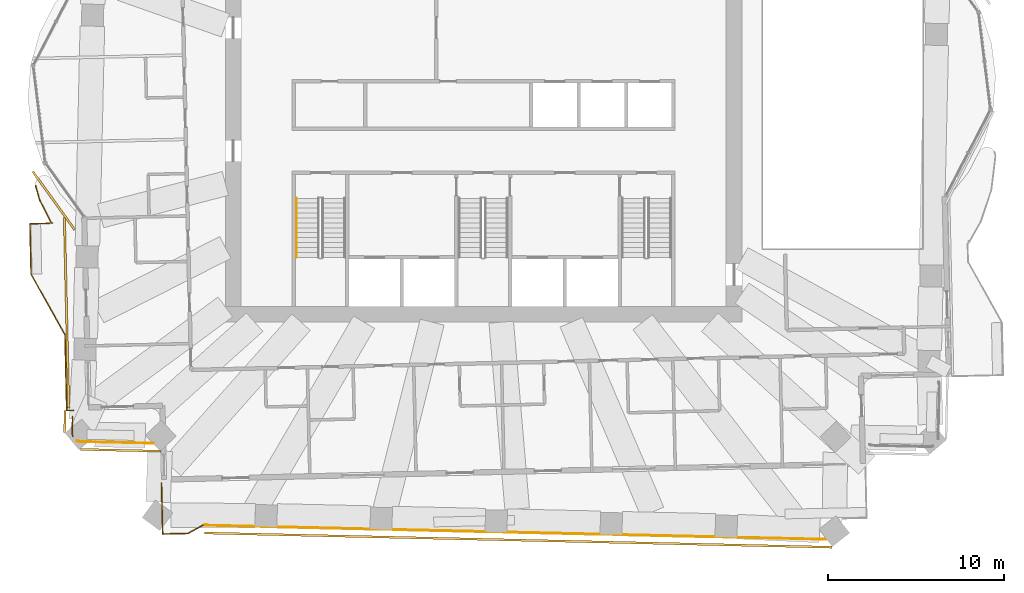
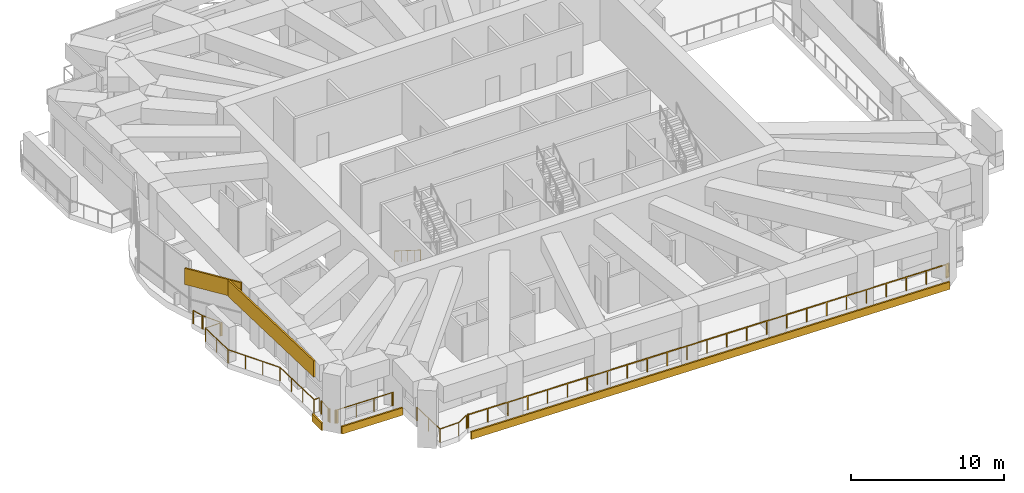
# One storey, part 14 of 17: 7 railings, 5 coverings.
"""IFC4 building model written with IfcOpenShell, lengths in metres."""

from ifc_helpers import new_model, si_unit, direction, frame, frame_2d, origin, origin_2d, place, context, subcontext, project, spatial, rectangle, circle, extrude, material, layer, layer_set, type_object, element, save


model = new_model("IFC4")

# Units and contexts
model_context = context("Model", 3, precision=1e-05, world=origin(), true_north=direction((0.0, 1.0)))
body_context = subcontext(model_context, "Body", "Model", "MODEL_VIEW")
ifc_project = project(units=[si_unit("LENGTHUNIT", "METRE"), si_unit("AREAUNIT", "SQUARE_METRE"), si_unit("VOLUMEUNIT", "CUBIC_METRE"), si_unit("PLANEANGLEUNIT", "RADIAN"), si_unit("MASSUNIT", "GRAM", prefix="KILO")], contexts=[model_context])

# Site, building, storey
site_placement = place(None, origin())
site = spatial("IfcSite", under=ifc_project, at=site_placement, CompositionType="ELEMENT")
building_placement = place(site_placement, origin())
building = spatial("IfcBuilding", under=site, at=building_placement, Name="Mangrove Gate Tower", CompositionType="ELEMENT")
storey_placement = place(building_placement, frame((0.0, 0.0, 170.699951171875)))
storey = spatial("IfcBuildingStorey", under=building, at=storey_placement, Name="L43", CompositionType="ELEMENT", Elevation=170.699951171875)

# Railings
ifc_material_1 = material(Name="Stainless steel grade 316 with laminated glass infill", Category="steel")
railing_type_1 = type_object("IfcRailingType", Name="Balcony guard 1100", PredefinedType="GUARDRAIL", material=ifc_material_1)
railing_1_placement = place(storey_placement, frame((-24.7041015625, -6.073974609375, 0.0)))
element("IfcRailing", 1, at=railing_1_placement, inside=storey, type_object=railing_type_1, Name="GUARD L43 W2", PredefinedType="GUARDRAIL", context=body_context, shape_type="SweptSolid", body=[
    extrude(rectangle(XDim=0.048095703125, YDim=0.048095703125, at=origin_2d()), frame((0.0, 0.0, 1.076171875), z_axis=(-0.999746663831, -0.022507957678, 0.0), x_axis=(0.022507957678, -0.999746663831, 0.0)), (0.0, 0.0, 1.0), 1.1171875),
    extrude(rectangle(XDim=0.048095703125, YDim=0.048095703125, at=origin_2d()), frame((-1.116943359375, -0.025146484375, 1.076171875), z_axis=(0.02259214234, -0.99974476498, 0.0), x_axis=(0.99974476498, 0.02259214234, 0.0)), (0.0, 0.0, 1.0), 2.87451171875),
    extrude(rectangle(XDim=0.048095703125, YDim=0.048095703125, at=origin_2d()), frame((-1.052001953125, -2.89892578125, 1.076171875), z_axis=(0.487307108654, -0.873230657876, 0.0), x_axis=(0.873230657876, 0.487307108654, 0.0)), (0.0, 0.0, 1.0), 3.958984375),
    extrude(rectangle(XDim=0.048095703125, YDim=0.048095703125, at=origin_2d()), frame((0.877197265625, -6.35595703125, 1.076171875), z_axis=(0.022539561751, -0.999745951808, 0.0), x_axis=(0.999745951808, 0.022539561751, 0.0)), (0.0, 0.0, 1.0), 4.300048828125),
    extrude(rectangle(XDim=0.048095703125, YDim=0.048095703125, at=origin_2d()), frame((0.97412109375, -10.655029296875, 1.076171875), z_axis=(0.999734716935, 0.023032493479, 0.0), x_axis=(-0.023032493479, 0.999734716935, 0.0)), (0.0, 0.0, 1.0), 0.39208984375),
    extrude(rectangle(XDim=0.0419921875, YDim=0.0419921875, at=origin_2d()), origin(), (0.0, 0.0, 1.0), 1.052001953125),
    extrude(rectangle(XDim=0.0419921875, YDim=0.0419921875, at=origin_2d()), frame((-1.116943359375, -0.025146484375, 0.0)), (0.0, 0.0, 1.0), 1.052001953125),
    extrude(rectangle(XDim=0.0419921875, YDim=0.0419921875, at=origin_2d()), frame((-1.08447265625, -1.4619140625, 0.0)), (0.0, 0.0, 1.0), 1.052001953125),
    extrude(rectangle(XDim=0.0419921875, YDim=0.0419921875, at=origin_2d()), frame((-1.052001953125, -2.89892578125, 0.0)), (0.0, 0.0, 1.0), 1.052001953125),
    extrude(rectangle(XDim=0.0419921875, YDim=0.0419921875, at=origin_2d()), frame((-0.408935546875, -4.05126953125, 0.0)), (0.0, 0.0, 1.0), 1.052001953125),
    extrude(rectangle(XDim=0.0419921875, YDim=0.0419921875, at=origin_2d()), frame((0.234130859375, -5.20361328125, 0.0)), (0.0, 0.0, 1.0), 1.052001953125),
    extrude(rectangle(XDim=0.0419921875, YDim=0.0419921875, at=origin_2d()), frame((0.877197265625, -6.35595703125, 0.0)), (0.0, 0.0, 1.0), 1.052001953125),
    extrude(rectangle(XDim=0.0419921875, YDim=0.0419921875, at=origin_2d()), frame((0.909423828125, -7.7890625, 0.0)), (0.0, 0.0, 1.0), 1.052001953125),
    extrude(rectangle(XDim=0.0419921875, YDim=0.0419921875, at=origin_2d()), frame((0.94189453125, -9.221923828125, 0.0)), (0.0, 0.0, 1.0), 1.052001953125),
    extrude(rectangle(XDim=0.0419921875, YDim=0.0419921875, at=origin_2d()), frame((0.97412109375, -10.655029296875, 0.0)), (0.0, 0.0, 1.0), 1.052001953125),
    extrude(rectangle(XDim=0.0419921875, YDim=0.0419921875, at=origin_2d()), frame((1.3662109375, -10.64599609375, 0.0)), (0.0, 0.0, 1.0), 1.052001953125),
])
railing_2_placement = place(storey_placement, frame((-18.3349609375, -20.847900390625, 0.0)))
element("IfcRailing", 2, at=railing_2_placement, inside=storey, type_object=railing_type_1, Name="GUARD L43 S1", PredefinedType="GUARDRAIL", context=body_context, shape_type="SweptSolid", body=[
    extrude(rectangle(XDim=0.048095703125, YDim=0.048095703125, at=origin_2d()), frame((0.0, 0.0, 1.076171875), z_axis=(0.022652795902, -0.999743392495, 0.0), x_axis=(0.999743392495, 0.022652795902, 0.0)), (0.0, 0.0, 1.0), 2.909912109375),
    extrude(rectangle(XDim=0.048095703125, YDim=0.048095703125, at=origin_2d()), frame((0.06591796875, -2.9091796875, 1.076171875), z_axis=(0.999753428766, 0.022205442382, 0.0), x_axis=(-0.022205442382, 0.999753428766, 0.0)), (0.0, 0.0, 1.0), 1.440185546875),
    extrude(rectangle(XDim=0.048095703125, YDim=0.048095703125, at=origin_2d()), frame((1.505859375, -2.877197265625, 1.076171875), z_axis=(0.87311321561, 0.487517499918, 0.0), x_axis=(-0.487517499918, 0.87311321561, 0.0)), (0.0, 0.0, 1.0), 0.972412109375),
    extrude(rectangle(XDim=0.0419921875, YDim=0.0419921875, at=origin_2d()), origin(), (0.0, 0.0, 1.0), 1.052001953125),
    extrude(rectangle(XDim=0.0419921875, YDim=0.0419921875, at=origin_2d()), frame((0.032958984375, -1.45458984375, 0.0)), (0.0, 0.0, 1.0), 1.052001953125),
    extrude(rectangle(XDim=0.0419921875, YDim=0.0419921875, at=origin_2d()), frame((0.06591796875, -2.9091796875, 0.0)), (0.0, 0.0, 1.0), 1.052001953125),
    extrude(rectangle(XDim=0.0419921875, YDim=0.0419921875, at=origin_2d()), frame((1.505859375, -2.877197265625, 0.0)), (0.0, 0.0, 1.0), 1.052001953125),
    extrude(rectangle(XDim=0.0419921875, YDim=0.0419921875, at=origin_2d()), frame((2.35498046875, -2.403076171875, 0.0)), (0.0, 0.0, 1.0), 1.052001953125),
])
railing_3_placement = place(storey_placement, frame((20.053955078125, -24.02392578125, 0.0)))
element("IfcRailing", 3, at=railing_3_placement, inside=storey, type_object=railing_type_1, Name="GUARD L43 T3.1", PredefinedType="GUARDRAIL", context=body_context, shape_type="SweptSolid", body=[
    extrude(rectangle(XDim=0.048095703125, YDim=0.048095703125, at=origin_2d()), frame((0.0, 0.0, 1.076171875), z_axis=(-0.907708589272, -0.419601140324, 0.0), x_axis=(0.419601140324, -0.907708589272, 0.0)), (0.0, 0.0, 1.0), 0.028564453125),
    extrude(rectangle(XDim=0.048095703125, YDim=0.048095703125, at=origin_2d()), frame((-0.02587890625, -0.011962890625, 1.076171875), z_axis=(-0.950180731344, -0.311699499171, 0.0), x_axis=(0.311699499171, -0.950180731344, 0.0)), (0.0, 0.0, 1.0), 0.048583984375),
    extrude(rectangle(XDim=0.048095703125, YDim=0.048095703125, at=origin_2d()), frame((-0.072021484375, -0.027099609375, 1.076171875), z_axis=(-0.974642013371, -0.223769850009, 0.0), x_axis=(0.223769850009, -0.974642013371, 0.0)), (0.0, 0.0, 1.0), 0.049072265625),
    extrude(rectangle(XDim=0.048095703125, YDim=0.048095703125, at=origin_2d()), frame((-0.119873046875, -0.0380859375, 1.076171875), z_axis=(-0.992353645783, -0.123427070371, 0.0), x_axis=(0.123427070371, -0.992353645783, 0.0)), (0.0, 0.0, 1.0), 0.049560546875),
    extrude(rectangle(XDim=0.048095703125, YDim=0.048095703125, at=origin_2d()), frame((-0.1689453125, -0.044189453125, 1.076171875), z_axis=(-0.999802043895, -0.019896558087, 0.0), x_axis=(0.019896558087, -0.999802043895, 0.0)), (0.0, 0.0, 1.0), 0.049072265625),
    extrude(rectangle(XDim=0.048095703125, YDim=0.048095703125, at=origin_2d()), frame((-0.218017578125, -0.045166015625, 1.076171875), z_axis=(-0.999742892884, 0.022674834704, 0.0), x_axis=(-0.022674834704, -0.999742892884, 0.0)), (0.0, 0.0, 1.0), 35.72509765625),
    extrude(rectangle(XDim=0.048095703125, YDim=0.048095703125, at=origin_2d()), frame((-35.933837890625, 0.764892578125, 1.076171875), z_axis=(0.872632808678, 0.488376884402, 0.0), x_axis=(-0.488376884402, 0.872632808678, 0.0)), (0.0, 0.0, 1.0), 0.098388671875),
    extrude(rectangle(XDim=0.0419921875, YDim=0.0419921875, at=origin_2d()), origin(), (0.0, 0.0, 1.0), 1.052001953125),
    extrude(rectangle(XDim=0.0419921875, YDim=0.0419921875, at=origin_2d()), frame((-0.02587890625, -0.011962890625, 0.0)), (0.0, 0.0, 1.0), 1.052001953125),
    extrude(rectangle(XDim=0.0419921875, YDim=0.0419921875, at=origin_2d()), frame((-0.072021484375, -0.027099609375, 0.0)), (0.0, 0.0, 1.0), 1.052001953125),
    extrude(rectangle(XDim=0.0419921875, YDim=0.0419921875, at=origin_2d()), frame((-0.119873046875, -0.0380859375, 0.0)), (0.0, 0.0, 1.0), 1.052001953125),
    extrude(rectangle(XDim=0.0419921875, YDim=0.0419921875, at=origin_2d()), frame((-0.1689453125, -0.044189453125, 0.0)), (0.0, 0.0, 1.0), 1.052001953125),
    extrude(rectangle(XDim=0.0419921875, YDim=0.0419921875, at=origin_2d()), frame((-0.218017578125, -0.045166015625, 0.0)), (0.0, 0.0, 1.0), 1.052001953125),
    extrude(rectangle(XDim=0.0419921875, YDim=0.0419921875, at=origin_2d()), frame((-1.7060546875, -0.011474609375, 0.0)), (0.0, 0.0, 1.0), 1.052001953125),
    extrude(rectangle(XDim=0.0419921875, YDim=0.0419921875, at=origin_2d()), frame((-3.1943359375, 0.0224609375, 0.0)), (0.0, 0.0, 1.0), 1.052001953125),
    extrude(rectangle(XDim=0.0419921875, YDim=0.0419921875, at=origin_2d()), frame((-4.6826171875, 0.05615234375, 0.0)), (0.0, 0.0, 1.0), 1.052001953125),
    extrude(rectangle(XDim=0.0419921875, YDim=0.0419921875, at=origin_2d()), frame((-6.170654296875, 0.08984375, 0.0)), (0.0, 0.0, 1.0), 1.052001953125),
    extrude(rectangle(XDim=0.0419921875, YDim=0.0419921875, at=origin_2d()), frame((-7.65869140625, 0.12353515625, 0.0)), (0.0, 0.0, 1.0), 1.052001953125),
    extrude(rectangle(XDim=0.0419921875, YDim=0.0419921875, at=origin_2d()), frame((-9.14697265625, 0.1572265625, 0.0)), (0.0, 0.0, 1.0), 1.052001953125),
    extrude(rectangle(XDim=0.0419921875, YDim=0.0419921875, at=origin_2d()), frame((-10.63525390625, 0.191162109375, 0.0)), (0.0, 0.0, 1.0), 1.052001953125),
    extrude(rectangle(XDim=0.0419921875, YDim=0.0419921875, at=origin_2d()), frame((-12.123291015625, 0.224853515625, 0.0)), (0.0, 0.0, 1.0), 1.052001953125),
    extrude(rectangle(XDim=0.0419921875, YDim=0.0419921875, at=origin_2d()), frame((-13.611328125, 0.258544921875, 0.0)), (0.0, 0.0, 1.0), 1.052001953125),
    extrude(rectangle(XDim=0.0419921875, YDim=0.0419921875, at=origin_2d()), frame((-15.099609375, 0.29248046875, 0.0)), (0.0, 0.0, 1.0), 1.052001953125),
    extrude(rectangle(XDim=0.0419921875, YDim=0.0419921875, at=origin_2d()), frame((-16.587890625, 0.326171875, 0.0)), (0.0, 0.0, 1.0), 1.052001953125),
    extrude(rectangle(XDim=0.0419921875, YDim=0.0419921875, at=origin_2d()), frame((-18.075927734375, 0.35986328125, 0.0)), (0.0, 0.0, 1.0), 1.052001953125),
    extrude(rectangle(XDim=0.0419921875, YDim=0.0419921875, at=origin_2d()), frame((-19.56396484375, 0.3935546875, 0.0)), (0.0, 0.0, 1.0), 1.052001953125),
    extrude(rectangle(XDim=0.0419921875, YDim=0.0419921875, at=origin_2d()), frame((-21.05224609375, 0.427490234375, 0.0)), (0.0, 0.0, 1.0), 1.052001953125),
    extrude(rectangle(XDim=0.0419921875, YDim=0.0419921875, at=origin_2d()), frame((-22.54052734375, 0.461181640625, 0.0)), (0.0, 0.0, 1.0), 1.052001953125),
    extrude(rectangle(XDim=0.0419921875, YDim=0.0419921875, at=origin_2d()), frame((-24.028564453125, 0.494873046875, 0.0)), (0.0, 0.0, 1.0), 1.052001953125),
    extrude(rectangle(XDim=0.0419921875, YDim=0.0419921875, at=origin_2d()), frame((-25.5166015625, 0.528564453125, 0.0)), (0.0, 0.0, 1.0), 1.052001953125),
    extrude(rectangle(XDim=0.0419921875, YDim=0.0419921875, at=origin_2d()), frame((-27.0048828125, 0.5625, 0.0)), (0.0, 0.0, 1.0), 1.052001953125),
    extrude(rectangle(XDim=0.0419921875, YDim=0.0419921875, at=origin_2d()), frame((-28.4931640625, 0.59619140625, 0.0)), (0.0, 0.0, 1.0), 1.052001953125),
    extrude(rectangle(XDim=0.0419921875, YDim=0.0419921875, at=origin_2d()), frame((-29.981201171875, 0.6298828125, 0.0)), (0.0, 0.0, 1.0), 1.052001953125),
    extrude(rectangle(XDim=0.0419921875, YDim=0.0419921875, at=origin_2d()), frame((-31.46923828125, 0.66357421875, 0.0)), (0.0, 0.0, 1.0), 1.052001953125),
    extrude(rectangle(XDim=0.0419921875, YDim=0.0419921875, at=origin_2d()), frame((-32.95751953125, 0.697265625, 0.0)), (0.0, 0.0, 1.0), 1.052001953125),
    extrude(rectangle(XDim=0.0419921875, YDim=0.0419921875, at=origin_2d()), frame((-34.44580078125, 0.731201171875, 0.0)), (0.0, 0.0, 1.0), 1.052001953125),
    extrude(rectangle(XDim=0.0419921875, YDim=0.0419921875, at=origin_2d()), frame((-35.933837890625, 0.764892578125, 0.0)), (0.0, 0.0, 1.0), 1.052001953125),
    extrude(rectangle(XDim=0.0419921875, YDim=0.0419921875, at=origin_2d()), frame((-35.847900390625, 0.81298828125, 0.0)), (0.0, 0.0, 1.0), 1.052001953125),
])
railing_4_placement = place(storey_placement, frame((-18.781982421875, -18.574951171875, 0.0)))
element("IfcRailing", 4, at=railing_4_placement, inside=storey, type_object=railing_type_1, Name="GUARD L43 T4.1", PredefinedType="GUARDRAIL", context=body_context, shape_type="SweptSolid", body=[
    extrude(rectangle(XDim=0.048095703125, YDim=0.048095703125, at=origin_2d()), frame((0.0, 0.0, 1.076171875), z_axis=(-0.973774038855, -0.227517298798, 0.0), x_axis=(0.227517298798, -0.973774038855, 0.0)), (0.0, 0.0, 1.0), 0.02685546875),
    extrude(rectangle(XDim=0.048095703125, YDim=0.048095703125, at=origin_2d()), frame((-0.026123046875, -0.006103515625, 1.076171875), z_axis=(-0.990711579604, -0.13598002073, 0.0), x_axis=(0.13598002073, -0.990711579604, 0.0)), (0.0, 0.0, 1.0), 0.05029296875),
    extrude(rectangle(XDim=0.048095703125, YDim=0.048095703125, at=origin_2d()), frame((-0.075927734375, -0.012939453125, 1.076171875), z_axis=(-0.999713957168, -0.023916601846, 0.0), x_axis=(0.023916601846, -0.999713957168, 0.0)), (0.0, 0.0, 1.0), 0.051025390625),
    extrude(rectangle(XDim=0.048095703125, YDim=0.048095703125, at=origin_2d()), frame((-0.126953125, -0.01416015625, 1.076171875), z_axis=(-0.999743525411, 0.022646929125, 0.0), x_axis=(-0.022646929125, -0.999743525411, 0.0)), (0.0, 0.0, 1.0), 4.02099609375),
    extrude(rectangle(XDim=0.048095703125, YDim=0.048095703125, at=origin_2d()), frame((-4.14697265625, 0.076904296875, 1.076171875), z_axis=(-0.996297303801, 0.085974894237, 0.0), x_axis=(-0.085974894237, -0.996297303801, 0.0)), (0.0, 0.0, 1.0), 0.04833984375),
    extrude(rectangle(XDim=0.048095703125, YDim=0.048095703125, at=origin_2d()), frame((-4.195068359375, 0.0810546875, 1.076171875), z_axis=(-0.987440631917, 0.157990501107, 0.0), x_axis=(-0.157990501107, -0.987440631917, 0.0)), (0.0, 0.0, 1.0), 0.049560546875),
    extrude(rectangle(XDim=0.048095703125, YDim=0.048095703125, at=origin_2d()), frame((-4.243896484375, 0.0888671875, 1.076171875), z_axis=(-0.963015823939, 0.269444841931, 0.0), x_axis=(-0.269444841931, -0.963015823939, 0.0)), (0.0, 0.0, 1.0), 0.048828125),
    extrude(rectangle(XDim=0.048095703125, YDim=0.048095703125, at=origin_2d()), frame((-4.291015625, 0.10205078125, 1.076171875), z_axis=(-0.932190657129, 0.361967648779, 0.0), x_axis=(-0.361967648779, -0.932190657129, 0.0)), (0.0, 0.0, 1.0), 0.04931640625),
    extrude(rectangle(XDim=0.048095703125, YDim=0.048095703125, at=origin_2d()), frame((-4.3369140625, 0.119873046875, 1.076171875), z_axis=(-0.903022510302, 0.429593233056, 0.0), x_axis=(-0.429593233056, -0.903022510302, 0.0)), (0.0, 0.0, 1.0), 0.02783203125),
    extrude(rectangle(XDim=0.0419921875, YDim=0.0419921875, at=origin_2d()), origin(), (0.0, 0.0, 1.0), 1.052001953125),
    extrude(rectangle(XDim=0.0419921875, YDim=0.0419921875, at=origin_2d()), frame((-0.026123046875, -0.006103515625, 0.0)), (0.0, 0.0, 1.0), 1.052001953125),
    extrude(rectangle(XDim=0.0419921875, YDim=0.0419921875, at=origin_2d()), frame((-0.075927734375, -0.012939453125, 0.0)), (0.0, 0.0, 1.0), 1.052001953125),
    extrude(rectangle(XDim=0.0419921875, YDim=0.0419921875, at=origin_2d()), frame((-0.126953125, -0.01416015625, 0.0)), (0.0, 0.0, 1.0), 1.052001953125),
    extrude(rectangle(XDim=0.0419921875, YDim=0.0419921875, at=origin_2d()), frame((-1.467041015625, 0.01611328125, 0.0)), (0.0, 0.0, 1.0), 1.052001953125),
    extrude(rectangle(XDim=0.0419921875, YDim=0.0419921875, at=origin_2d()), frame((-2.806884765625, 0.046630859375, 0.0)), (0.0, 0.0, 1.0), 1.052001953125),
    extrude(rectangle(XDim=0.0419921875, YDim=0.0419921875, at=origin_2d()), frame((-4.14697265625, 0.076904296875, 0.0)), (0.0, 0.0, 1.0), 1.052001953125),
    extrude(rectangle(XDim=0.0419921875, YDim=0.0419921875, at=origin_2d()), frame((-4.195068359375, 0.0810546875, 0.0)), (0.0, 0.0, 1.0), 1.052001953125),
    extrude(rectangle(XDim=0.0419921875, YDim=0.0419921875, at=origin_2d()), frame((-4.243896484375, 0.0888671875, 0.0)), (0.0, 0.0, 1.0), 1.052001953125),
    extrude(rectangle(XDim=0.0419921875, YDim=0.0419921875, at=origin_2d()), frame((-4.291015625, 0.10205078125, 0.0)), (0.0, 0.0, 1.0), 1.052001953125),
    extrude(rectangle(XDim=0.0419921875, YDim=0.0419921875, at=origin_2d()), frame((-4.3369140625, 0.119873046875, 0.0)), (0.0, 0.0, 1.0), 1.052001953125),
    extrude(rectangle(XDim=0.0419921875, YDim=0.0419921875, at=origin_2d()), frame((-4.362060546875, 0.1318359375, 0.0)), (0.0, 0.0, 1.0), 1.052001953125),
])
railing_5_placement = place(storey_placement, frame((-23.3720703125, -18.2041015625, 0.0)))
element("IfcRailing", 5, at=railing_5_placement, inside=storey, type_object=railing_type_1, Name="GUARD L43 T4.2", PredefinedType="GUARDRAIL", context=body_context, shape_type="SweptSolid", body=[
    extrude(rectangle(XDim=0.048095703125, YDim=0.048095703125, at=origin_2d()), frame((0.0, 0.0, 1.076171875), z_axis=(-0.400352069216, 0.916361402872, 0.0), x_axis=(-0.916361402872, -0.400352069216, 0.0)), (0.0, 0.0, 1.0), 0.02734375),
    extrude(rectangle(XDim=0.048095703125, YDim=0.048095703125, at=origin_2d()), frame((-0.010986328125, 0.025146484375, 1.076171875), z_axis=(-0.320664269532, 0.947192919233, 0.0), x_axis=(-0.947192919233, -0.320664269532, 0.0)), (0.0, 0.0, 1.0), 0.049560546875),
    extrude(rectangle(XDim=0.048095703125, YDim=0.048095703125, at=origin_2d()), frame((-0.02685546875, 0.072021484375, 1.076171875), z_axis=(-0.222690428814, 0.974889210585, 0.0), x_axis=(-0.974889210585, -0.222690428814, 0.0)), (0.0, 0.0, 1.0), 0.04931640625),
    extrude(rectangle(XDim=0.048095703125, YDim=0.048095703125, at=origin_2d()), frame((-0.037841796875, 0.1201171875, 1.076171875), z_axis=(-0.125893872487, 0.992043715201, 0.0), x_axis=(-0.992043715201, -0.125893872487, 0.0)), (0.0, 0.0, 1.0), 0.048583984375),
    extrude(rectangle(XDim=0.048095703125, YDim=0.048095703125, at=origin_2d()), frame((-0.0439453125, 0.168212890625, 1.076171875), z_axis=(-0.0199960012, 0.99980005998, 0.0), x_axis=(-0.99980005998, -0.0199960012, 0.0)), (0.0, 0.0, 1.0), 0.048828125),
    extrude(rectangle(XDim=0.048095703125, YDim=0.048095703125, at=origin_2d()), frame((-0.044921875, 0.217041015625, 1.076171875), z_axis=(0.022950280466, 0.999736607625, 0.0), x_axis=(-0.999736607625, 0.022950280466, 0.0)), (0.0, 0.0, 1.0), 0.872314453125),
    extrude(rectangle(XDim=0.048095703125, YDim=0.048095703125, at=origin_2d()), frame((-0.02490234375, 1.089111328125, 1.076171875), z_axis=(0.059595380047, 0.998222615791, 0.0), x_axis=(-0.998222615791, 0.059595380047, 0.0)), (0.0, 0.0, 1.0), 0.049072265625),
    extrude(rectangle(XDim=0.0419921875, YDim=0.0419921875, at=origin_2d()), origin(), (0.0, 0.0, 1.0), 1.052001953125),
    extrude(rectangle(XDim=0.0419921875, YDim=0.0419921875, at=origin_2d()), frame((-0.010986328125, 0.025146484375, 0.0)), (0.0, 0.0, 1.0), 1.052001953125),
    extrude(rectangle(XDim=0.0419921875, YDim=0.0419921875, at=origin_2d()), frame((-0.02685546875, 0.072021484375, 0.0)), (0.0, 0.0, 1.0), 1.052001953125),
    extrude(rectangle(XDim=0.0419921875, YDim=0.0419921875, at=origin_2d()), frame((-0.037841796875, 0.1201171875, 0.0)), (0.0, 0.0, 1.0), 1.052001953125),
    extrude(rectangle(XDim=0.0419921875, YDim=0.0419921875, at=origin_2d()), frame((-0.0439453125, 0.168212890625, 0.0)), (0.0, 0.0, 1.0), 1.052001953125),
    extrude(rectangle(XDim=0.0419921875, YDim=0.0419921875, at=origin_2d()), frame((-0.044921875, 0.217041015625, 0.0)), (0.0, 0.0, 1.0), 1.052001953125),
    extrude(rectangle(XDim=0.0419921875, YDim=0.0419921875, at=origin_2d()), frame((-0.02490234375, 1.089111328125, 0.0)), (0.0, 0.0, 1.0), 1.052001953125),
    extrude(rectangle(XDim=0.0419921875, YDim=0.0419921875, at=origin_2d()), frame((-0.02197265625, 1.13818359375, 0.0)), (0.0, 0.0, 1.0), 1.052001953125),
])
railing_6_placement = place(storey_placement, frame((-24.547119140625, -6.051025390625, 0.0)))
element("IfcRailing", 6, at=railing_6_placement, inside=storey, type_object=railing_type_1, Name="GUARD L43 T5.1", PredefinedType="GUARDRAIL", context=body_context, shape_type="SweptSolid", body=[
    extrude(rectangle(XDim=0.048095703125, YDim=0.048095703125, at=origin_2d()), frame((0.0, 0.0, 1.076171875), z_axis=(-0.999847482507, -0.017464584847, 0.0), x_axis=(0.017464584847, -0.999847482507, 0.0)), (0.0, 0.0, 1.0), 0.055908203125),
    extrude(rectangle(XDim=0.048095703125, YDim=0.048095703125, at=origin_2d()), frame((-0.055908203125, -0.0009765625, 1.076171875), z_axis=(-0.458352018093, 0.888770739567, 0.0), x_axis=(-0.888770739567, -0.458352018093, 0.0)), (0.0, 0.0, 1.0), 1.3896484375),
    extrude(rectangle(XDim=0.048095703125, YDim=0.048095703125, at=origin_2d()), frame((-0.69287109375, 1.234130859375, 1.076171875), z_axis=(-0.415988373186, 0.909369932081, 0.0), x_axis=(-0.909369932081, -0.415988373186, 0.0)), (0.0, 0.0, 1.0), 0.050537109375),
    extrude(rectangle(XDim=0.048095703125, YDim=0.048095703125, at=origin_2d()), frame((-0.7138671875, 1.280029296875, 1.076171875), z_axis=(-0.325079768511, 0.945686599305, 0.0), x_axis=(-0.945686599305, -0.325079768511, 0.0)), (0.0, 0.0, 1.0), 0.049560546875),
    extrude(rectangle(XDim=0.048095703125, YDim=0.048095703125, at=origin_2d()), frame((-0.72998046875, 1.326904296875, 1.076171875), z_axis=(-0.272893590258, 0.962044223722, 0.0), x_axis=(-0.962044223722, -0.272893590258, 0.0)), (0.0, 0.0, 1.0), 0.776611328125),
    extrude(rectangle(XDim=0.048095703125, YDim=0.048095703125, at=origin_2d()), frame((-0.94189453125, 2.073974609375, 1.076171875), z_axis=(-0.227070097211, 0.973878416925, 0.0), x_axis=(-0.973878416925, -0.227070097211, 0.0)), (0.0, 0.0, 1.0), 0.04833984375),
    extrude(rectangle(XDim=0.0419921875, YDim=0.0419921875, at=origin_2d()), origin(), (0.0, 0.0, 1.0), 1.052001953125),
    extrude(rectangle(XDim=0.0419921875, YDim=0.0419921875, at=origin_2d()), frame((-0.055908203125, -0.0009765625, 0.0)), (0.0, 0.0, 1.0), 1.052001953125),
    extrude(rectangle(XDim=0.0419921875, YDim=0.0419921875, at=origin_2d()), frame((-0.69287109375, 1.234130859375, 0.0)), (0.0, 0.0, 1.0), 1.052001953125),
    extrude(rectangle(XDim=0.0419921875, YDim=0.0419921875, at=origin_2d()), frame((-0.7138671875, 1.280029296875, 0.0)), (0.0, 0.0, 1.0), 1.052001953125),
    extrude(rectangle(XDim=0.0419921875, YDim=0.0419921875, at=origin_2d()), frame((-0.72998046875, 1.326904296875, 0.0)), (0.0, 0.0, 1.0), 1.052001953125),
    extrude(rectangle(XDim=0.0419921875, YDim=0.0419921875, at=origin_2d()), frame((-0.94189453125, 2.073974609375, 0.0)), (0.0, 0.0, 1.0), 1.052001953125),
    extrude(rectangle(XDim=0.0419921875, YDim=0.0419921875, at=origin_2d()), frame((-0.952880859375, 2.12109375, 0.0)), (0.0, 0.0, 1.0), 1.052001953125),
])
ifc_material_2 = material(Name="Stainless steel 316", Category="steel")
railing_type_2 = type_object("IfcRailingType", Name="Core stair handrail 900", PredefinedType="HANDRAIL", material=ifc_material_2)
railing_7_placement = place(storey_placement, frame((-10.64990234375, -4.64990234375, 0.177001953125)))
element("IfcRailing", 7, at=railing_7_placement, inside=storey, type_object=railing_type_2, Name="L43 ST1 stair handrail 1", PredefinedType="HANDRAIL", context=body_context, shape_type="SweptSolid", body=[
    extrude(circle(Radius=0.02392578125, at=origin_2d()), frame((0.0, 0.0, 0.8759765625), z_axis=(0.0, -0.845389635667, 0.534150132366), x_axis=(1.0, 0.0, 0.0)), (0.0, 0.0, 1.0), 3.974609375),
    extrude(circle(Radius=0.02099609375, at=origin_2d()), origin(), (0.0, 0.0, 1.0), 0.851806640625),
    extrude(circle(Radius=0.02099609375, at=origin_2d()), frame((0.0, -0.840087890625, 0.53076171875)), (0.0, 0.0, 1.0), 0.851806640625),
    extrude(circle(Radius=0.02099609375, at=origin_2d()), frame((0.0, -1.68017578125, 1.0615234375)), (0.0, 0.0, 1.0), 0.851806640625),
    extrude(circle(Radius=0.02099609375, at=origin_2d()), frame((0.0, -2.52001953125, 1.59228515625)), (0.0, 0.0, 1.0), 0.851806640625),
    extrude(circle(Radius=0.02099609375, at=origin_2d()), frame((0.0, -3.360107421875, 2.123046875)), (0.0, 0.0, 1.0), 0.851806640625),
])

# Coverings
ifc_material_3 = material(Name="Limestone", Category="masonry")
ifc_layer_1 = layer(ifc_material_3, 0.0400390625, Name="Limestone cladding")
ifc_material_4 = material(Name="Stainless steel anchors and cavity", Category="steel")
ifc_layer_2 = layer(ifc_material_4, 0.080078125, Name="Fixing cavity")
ifc_layer_set = layer_set([ifc_layer_1, ifc_layer_2], Name="Joint fascia cladding 120")
covering_type = type_object("IfcCoveringType", Name="Joint fascia cladding 120", PredefinedType="CLADDING", material=ifc_layer_set)
covering_1_placement = place(storey_placement, frame((-25.655029296875, -3.1279296875, 2.75), z_axis=(0.0, 0.0, 1.0), x_axis=(0.583742290374, -0.811938999204, 0.0)))
element("IfcCovering", 8, at=covering_1_placement, inside=storey, type_object=covering_type, Name="STONE FASCIA L43 W9.L1", PredefinedType="CLADDING", context=body_context, shape_type="SweptSolid", body=[
    extrude(rectangle(XDim=4.072021484375, YDim=0.1201171875, at=frame_2d((2.0361328125, 0.0))), origin(), (0.0, 0.0, 1.0), 1.300048828125),
])
covering_2_placement = place(storey_placement, frame((-23.860107421875, -5.75, 2.75), z_axis=(0.0, 0.0, 1.0), x_axis=(0.022723965805, -0.99974177735, 0.0)))
element("IfcCovering", 9, at=covering_2_placement, inside=storey, type_object=covering_type, Name="STONE FASCIA L43 W10.1", PredefinedType="CLADDING", context=body_context, shape_type="SweptSolid", body=[
    extrude(rectangle(XDim=10.82958984375, YDim=0.1201171875, at=frame_2d((5.414794921875, 0.0))), origin(), (0.0, 0.0, 1.0), 1.300048828125),
])
covering_3_placement = place(storey_placement, frame((19.825927734375, -24.507080078125, -0.599853515625), z_axis=(0.0, 0.0, 1.0), x_axis=(-0.999742272841, 0.02270215617, 0.0)))
element("IfcCovering", 10, at=covering_3_placement, inside=storey, type_object=covering_type, Name="STONE FASCIA L43 TB53-1.1", PredefinedType="CLADDING", context=body_context, shape_type="SweptSolid", body=[
    extrude(rectangle(XDim=35.72509765625, YDim=0.1201171875, at=frame_2d((17.862548828125, 0.0))), origin(), (0.0, 0.0, 1.0), 0.599853515625),
])
covering_4_placement = place(storey_placement, frame((-18.37841796875, -19.041259765625, -0.599853515625), z_axis=(0.0, 0.0, 1.0), x_axis=(-0.999743710973, 0.022638736068, 0.0)))
element("IfcCovering", 11, at=covering_4_placement, inside=storey, type_object=covering_type, Name="STONE FASCIA L43 TB54-1.1", PredefinedType="CLADDING", context=body_context, shape_type="SweptSolid", body=[
    extrude(rectangle(XDim=4.561767578125, YDim=0.1201171875, at=frame_2d((2.28076171875, 0.0))), origin(), (0.0, 0.0, 1.0), 0.599853515625),
])
covering_5_placement = place(storey_placement, frame((-23.846923828125, -17.97705078125, -0.599853515625), z_axis=(0.0, 0.0, 1.0), x_axis=(0.021708498054, 0.999764342789, 0.0)))
element("IfcCovering", 12, at=covering_5_placement, inside=storey, type_object=covering_type, Name="STONE FASCIA L43 TB54-2.1", PredefinedType="CLADDING", context=body_context, shape_type="SweptSolid", body=[
    extrude(rectangle(XDim=1.248291015625, YDim=0.1201171875, at=frame_2d((0.6240234375, 0.0))), origin(), (0.0, 0.0, 1.0), 0.599853515625),
])

save(model, "model.ifc")
